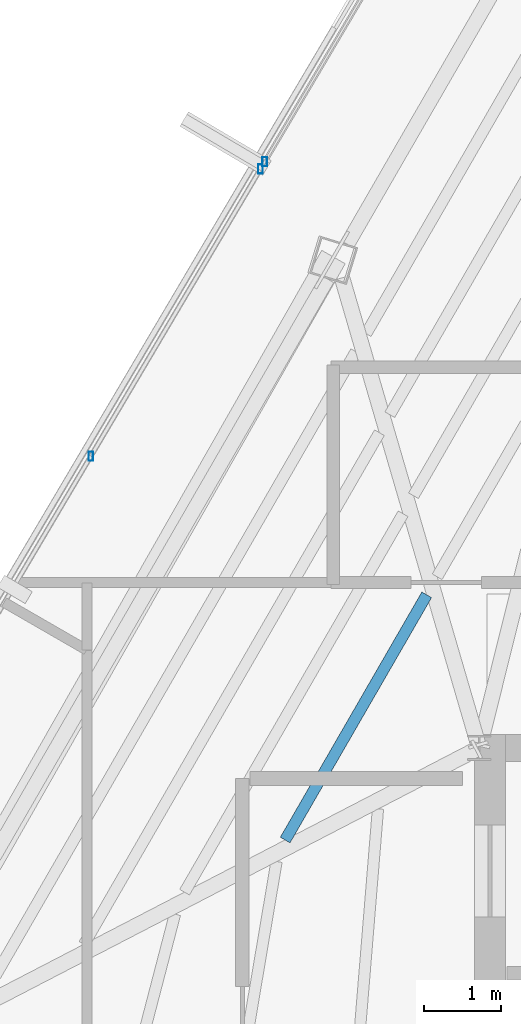
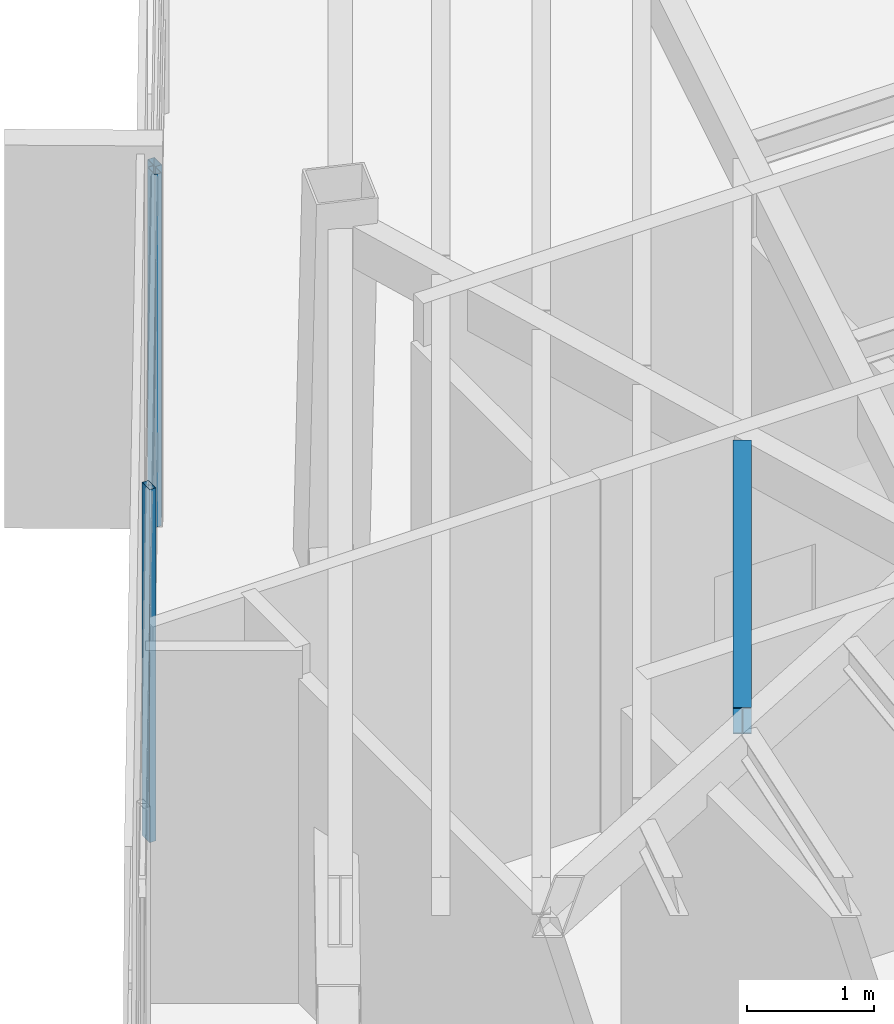
# One storey, part 19 of 45: 3 members, 1 beam, 2 elements without a shape of their own.
"""IFC4 building model written with IfcOpenShell, lengths in metres."""

from ifc_helpers import new_model, si_unit, direction, frame, origin, origin_2d, place, context, subcontext, project, spatial, hollow_rectangle, i_section, extrude, source, transform, mapped, material, material_profile, profile_set, type_object, type_shapes, element, aggregate, save


model = new_model("IFC4")

# Units and contexts
model_context = context("Model", 3, precision=1e-05, world=origin(), true_north=direction((0.0, 1.0)))
body_context = subcontext(model_context, "Body", "Model", "MODEL_VIEW")
ifc_project = project(units=[si_unit("LENGTHUNIT", "METRE"), si_unit("AREAUNIT", "SQUARE_METRE"), si_unit("VOLUMEUNIT", "CUBIC_METRE"), si_unit("PLANEANGLEUNIT", "RADIAN"), si_unit("MASSUNIT", "GRAM", prefix="KILO")], contexts=[model_context])

# Site, building, storey
site_placement = place(None, origin())
site = spatial("IfcSite", under=ifc_project, at=site_placement, CompositionType="ELEMENT")
building_placement = place(site_placement, origin())
building = spatial("IfcBuilding", under=site, at=building_placement, Name="Caelisora Broadcast Tower", CompositionType="ELEMENT")
storey_placement = place(building_placement, frame((0.0, 0.0, 273.64990234375)))
storey = spatial("IfcBuildingStorey", under=building, at=storey_placement, Name="L72", CompositionType="ELEMENT", Elevation=273.64990234375)

# Beam
ifc_material_1 = material(Name="Steel Grade 350 (AS/NZS 3679.1)", Category="steel")
ifc_material_profile_1 = material_profile(ifc_material_1, i_section(OverallWidth=0.14599609375, OverallDepth=0.256103515625, WebThickness=0.00634765625, FlangeThickness=0.010986328125, at=origin_2d()), Name="Steel Grade 350 (AS/NZS 3679.1)")
ifc_profile_set_1 = profile_set([ifc_material_profile_1], Name="Steel Grade 350 (AS/NZS 3679.1)")
beam_type = type_object("IfcBeamType", Name="SB04", PredefinedType="JOIST", material=ifc_profile_set_1)
shared_shape_1 = source(origin(), body_context, "Body", "SweptSolid", [
    extrude(i_section(OverallWidth=0.14599609375, OverallDepth=0.256103515625, WebThickness=0.00634765625, FlangeThickness=0.010986328125, at=origin_2d()), origin(), (0.0, 0.0, 1.0), 3.680908203125),
])
type_shapes(beam_type, [shared_shape_1])
beam_placement = place(storey_placement, frame((29.817138671875, 31.989990234375, 3.27197265625), z_axis=(-0.499976994209, -0.866038685777, 0.0), x_axis=(0.866038685777, -0.499976994209, 0.0)))
element("IfcBeam", 1, at=beam_placement, inside=storey, type_object=beam_type, Name="L72 beam SB04", PredefinedType="JOIST", context=body_context, shape_type="MappedRepresentation", body=[
    mapped(shared_shape_1, transform((0.0, 0.0, 0.0), scale=1.0)),
])

# Curtain wall, members
ifc_material_2 = material(Name="Unitised Aluminium Insulated Shadow-Box Spandrel Curtain Wall", Category="aluminium")
curtain_wall_type_1 = type_object("IfcCurtainWallType", Name="CW-SP3", PredefinedType="NOTDEFINED", material=ifc_material_2)
curtain_wall_1_placement = place(storey_placement, origin())
curtain_wall_1 = element("IfcCurtainWall", 2, at=curtain_wall_1_placement, inside=storey, type_object=curtain_wall_type_1, Name="L72 curtain wall CW-SP3", PredefinedType="NOTDEFINED")
ifc_material_3 = material(Name="Aluminium 6063-T6 Anodised Terracotta Bronze", Category="aluminium")
ifc_material_profile_2 = material_profile(ifc_material_3, hollow_rectangle(XDim=0.06005859375, YDim=0.1201171875, WallThickness=0.0029296875, at=origin_2d()), Name="Aluminium 6063-T6 Anodised Terracotta Bronze")
ifc_profile_set_2 = profile_set([ifc_material_profile_2], Name="Aluminium 6063-T6 Anodised Terracotta Bronze")
member_type = type_object("IfcMemberType", Name="CWM-04", PredefinedType="MULLION", material=ifc_profile_set_2)
shared_shape_2 = source(origin(), body_context, "Body", "SweptSolid", [
    extrude(hollow_rectangle(XDim=0.06005859375, YDim=0.1201171875, WallThickness=0.0029296875, at=origin_2d()), origin(), (0.0, 0.0, 1.0), 3.400146484375),
])
type_shapes(member_type, [shared_shape_2])
member_1_placement = place(storey_placement, frame((25.45166015625, 33.79296875, 0.0), z_axis=(0.0, 0.0, 1.0), x_axis=(1.0, 0.0, 0.0)))
member_1 = element("IfcMember", 3, at=member_1_placement, type_object=member_type, Name="L72-CW-B10 mullion #2", PredefinedType="MULLION", context=body_context, shape_type="MappedRepresentation", body=[
    mapped(shared_shape_2, transform((0.0, 0.0, 0.0), scale=1.0)),
])
member_2_placement = place(storey_placement, frame((27.656005859375, 37.52490234375, 0.0), z_axis=(0.0, 0.0, 1.0), x_axis=(1.0, 0.0, 0.0)))
member_2 = element("IfcMember", 4, at=member_2_placement, type_object=member_type, Name="L72-CW-B10 mullion #3", PredefinedType="MULLION", context=body_context, shape_type="MappedRepresentation", body=[
    mapped(shared_shape_2, transform((0.0, 0.0, 0.0), scale=1.0)),
])
aggregate(curtain_wall_1, [member_1, member_2])

# Curtain wall, member
ifc_material_4 = material(Name="Unitised Aluminium and Low-E Glass Curtain Wall", Category="glass")
curtain_wall_type_2 = type_object("IfcCurtainWallType", Name="CW-Z5", PredefinedType="NOTDEFINED", material=ifc_material_4)
curtain_wall_2_placement = place(storey_placement, origin())
curtain_wall_2 = element("IfcCurtainWall", 5, at=curtain_wall_2_placement, inside=storey, type_object=curtain_wall_type_2, Name="L72 curtain wall CW-Z5", PredefinedType="NOTDEFINED")
member_3_placement = place(storey_placement, frame((27.712158203125, 37.61962890625, 0.0), z_axis=(0.0, 0.0, 1.0), x_axis=(1.0, 0.0, 0.0)))
member_3 = element("IfcMember", 6, at=member_3_placement, type_object=member_type, Name="L72-CW-B11 mullion #0", PredefinedType="MULLION", context=body_context, shape_type="MappedRepresentation", body=[
    mapped(shared_shape_2, transform((0.0, 0.0, 0.0), scale=1.0)),
])
aggregate(curtain_wall_2, [member_3])

save(model, "model.ifc")
